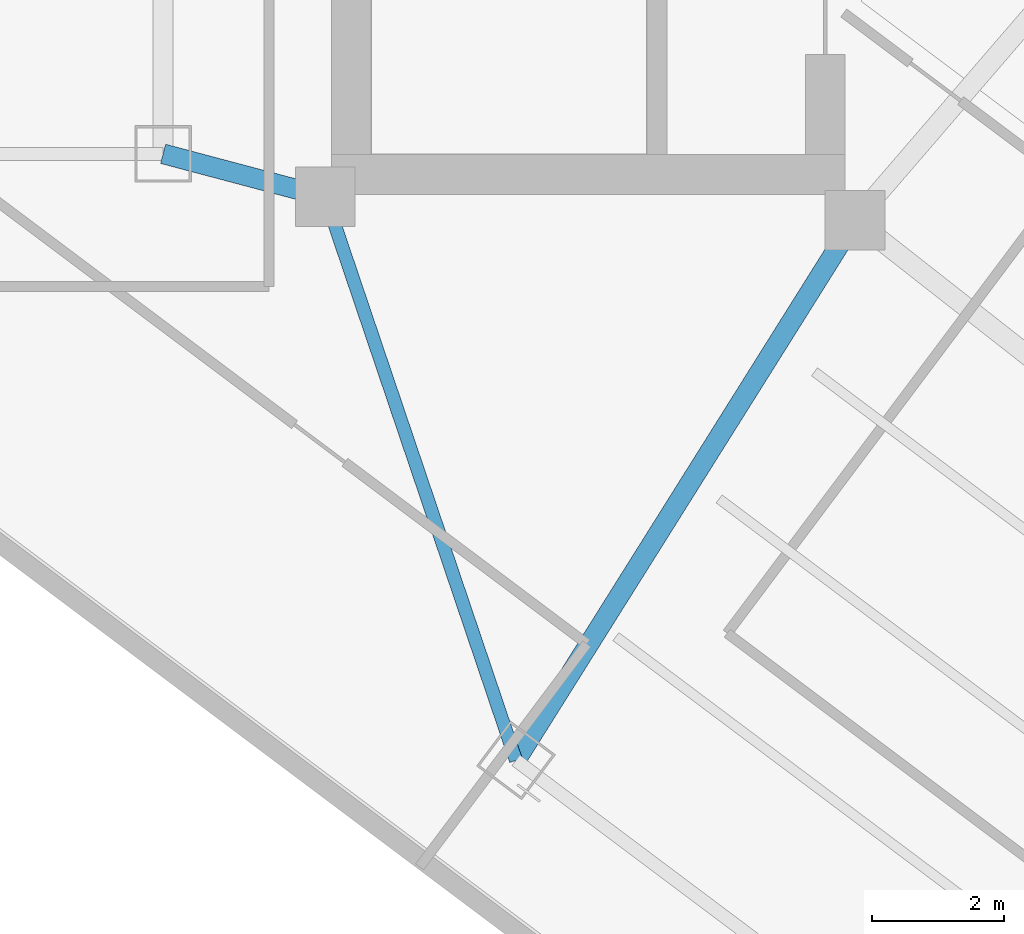
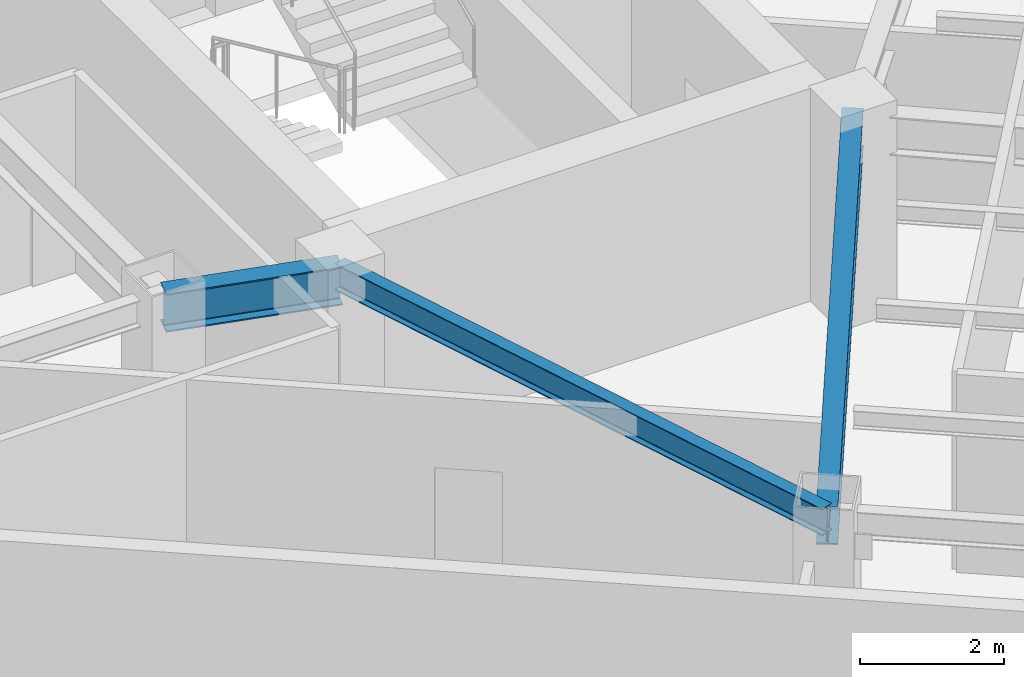
# One storey, part 3 of 26: 3 beams.
"""IFC4 building model written with IfcOpenShell, lengths in metres."""

from ifc_helpers import new_model, si_unit, direction, frame, origin, origin_2d, place, context, subcontext, project, spatial, i_section, extrude, material, material_profile, profile_set, type_object, element, save


model = new_model("IFC4")

# Units and contexts
model_context = context("Model", 3, precision=1e-05, world=origin(), true_north=direction((0.0, 1.0)))
body_context = subcontext(model_context, "Body", "Model", "MODEL_VIEW")
ifc_project = project(units=[si_unit("LENGTHUNIT", "METRE"), si_unit("AREAUNIT", "SQUARE_METRE"), si_unit("VOLUMEUNIT", "CUBIC_METRE"), si_unit("PLANEANGLEUNIT", "RADIAN"), si_unit("MASSUNIT", "GRAM", prefix="KILO")], contexts=[model_context])

# Site, building, storey
site_placement = place(None, origin())
site = spatial("IfcSite", under=ifc_project, at=site_placement, CompositionType="ELEMENT")
building_placement = place(site_placement, origin())
building = spatial("IfcBuilding", under=site, at=building_placement, Name="Hatsunagi Terrace Concourse", CompositionType="ELEMENT")
storey_placement = place(building_placement, frame((0.0, 0.0, 152.85009765625)))
storey = spatial("IfcBuildingStorey", under=building, at=storey_placement, Name="L40", CompositionType="ELEMENT", Elevation=152.85009765625)

# Beams
ifc_material_1 = material(Name="Steel SN490B", Category="steel")
ifc_material_profile_1 = material_profile(ifc_material_1, i_section(OverallWidth=0.300048828125, OverallDepth=0.64990234375, WebThickness=0.012939453125, FlangeThickness=0.02197265625, FilletRadius=0.01806640625, at=origin_2d()), Name="H-650x300x13x22")
ifc_profile_set_1 = profile_set([ifc_material_profile_1], Name="Steel SN490B")
beam_type_1 = type_object("IfcBeamType", Name="OfficeLowGirder_H_650x300", PredefinedType="BEAM", material=ifc_profile_set_1)
beam_1_placement = place(storey_placement, frame((33.35009765625, 25.199951171875, 3.02490234375), z_axis=(0.966569840116, -0.256403479262, 0.0), x_axis=(0.256403479262, 0.966569840116, 0.0)))
element("IfcBeam", 1, at=beam_1_placement, inside=storey, type_object=beam_type_1, Name="Beam G-05 BM-L40-K2CB", PredefinedType="BEAM", context=body_context, shape_type="SweptSolid", body=[
    extrude(i_section(OverallWidth=0.300048828125, OverallDepth=0.64990234375, WebThickness=0.012939453125, FlangeThickness=0.02197265625, FilletRadius=0.01806640625, at=origin_2d()), origin(), (0.0, 0.0, 1.0), 2.53466796875),
])
beam_2_placement = place(storey_placement, frame((38.679931640625, 16.0400390625, 3.02490234375), z_axis=(0.531503907049, 0.847055840421, 0.0), x_axis=(-0.847055840421, 0.531503907049, 0.0)))
element("IfcBeam", 2, at=beam_2_placement, inside=storey, type_object=beam_type_1, Name="Beam G-05 BM-L40-SET-1A", PredefinedType="BEAM", context=body_context, shape_type="SweptSolid", body=[
    extrude(i_section(OverallWidth=0.300048828125, OverallDepth=0.64990234375, WebThickness=0.012939453125, FlangeThickness=0.02197265625, FilletRadius=0.01806640625, at=origin_2d()), origin(), (0.0, 0.0, 1.0), 9.63330078125),
])
ifc_material_2 = material(Name="Steel SN490B", Category="steel")
ifc_material_profile_2 = material_profile(ifc_material_2, i_section(OverallWidth=0.199951171875, OverallDepth=0.449951171875, WebThickness=0.009033203125, FlangeThickness=0.013916015625, FilletRadius=0.01611328125, at=origin_2d()), Name="H-450x200x9x14")
ifc_profile_set_2 = profile_set([ifc_material_profile_2], Name="Steel SN490B")
beam_type_2 = type_object("IfcBeamType", Name="PerimeterSpandrel_H_450x200", PredefinedType="SPANDREL", material=ifc_profile_set_2)
beam_3_placement = place(storey_placement, frame((35.800048828125, 24.550048828125, 3.125), z_axis=(0.320553412271, -0.947230441805, 0.0), x_axis=(0.947230441805, 0.320553412271, 0.0)))
element("IfcBeam", 3, at=beam_3_placement, inside=storey, type_object=beam_type_2, Name="Beam SP-02 BM-L40-SE-SW0", PredefinedType="SPANDREL", context=body_context, shape_type="SweptSolid", body=[
    extrude(i_section(OverallWidth=0.199951171875, OverallDepth=0.449951171875, WebThickness=0.009033203125, FlangeThickness=0.013916015625, FilletRadius=0.01611328125, at=origin_2d()), origin(), (0.0, 0.0, 1.0), 8.984130859375),
])

save(model, "model.ifc")
